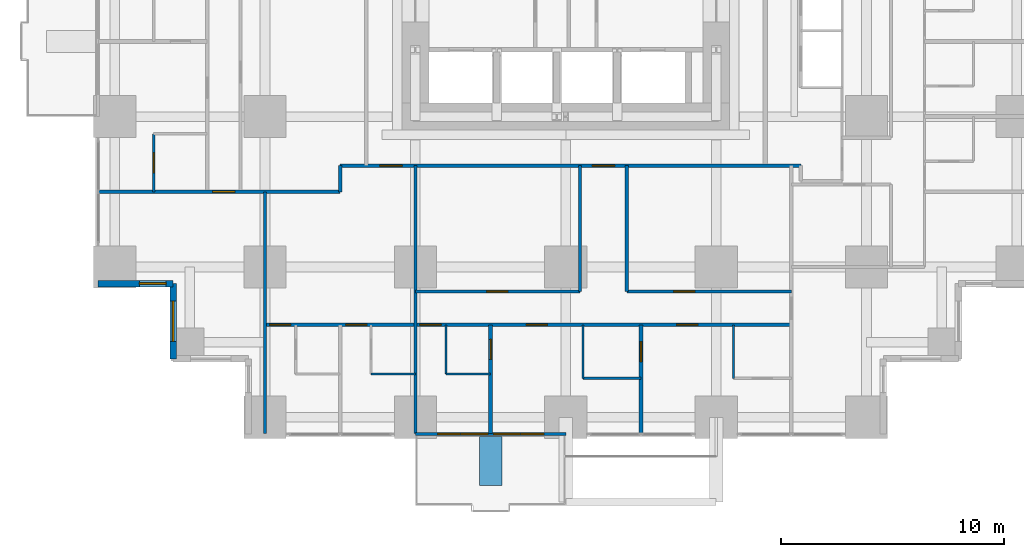
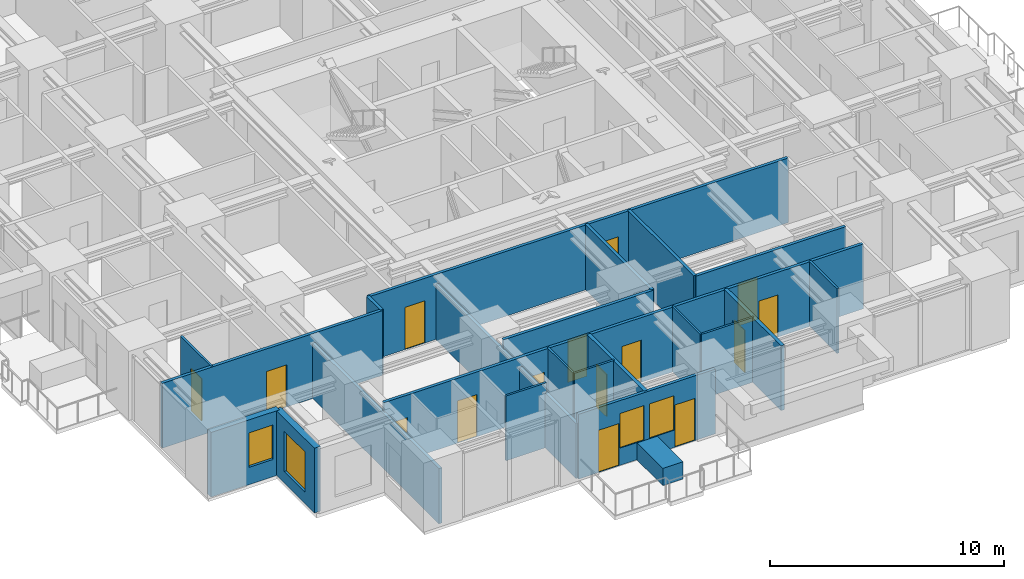
# One storey, part 8 of 15: 23 walls, 15 doors, 4 windows, 19 openings.
"""IFC4 building model written with IfcOpenShell, lengths in metres."""

from ifc_helpers import new_model, si_unit, direction, frame, frame_2d, origin, place, context, subcontext, project, spatial, rectangle, extrude, material, layer, layer_set, type_object, element, fill, save


model = new_model("IFC4")

# Units and contexts
model_context = context("Model", 3, precision=1e-05, world=origin(), true_north=direction((0.0, 1.0)))
body_context = subcontext(model_context, "Body", "Model", "MODEL_VIEW")
ifc_project = project(units=[si_unit("LENGTHUNIT", "METRE"), si_unit("AREAUNIT", "SQUARE_METRE"), si_unit("VOLUMEUNIT", "CUBIC_METRE"), si_unit("PLANEANGLEUNIT", "RADIAN"), si_unit("MASSUNIT", "GRAM", prefix="KILO")], contexts=[model_context])

# Site, building, storey
site_placement = place(None, origin())
site = spatial("IfcSite", under=ifc_project, at=site_placement, CompositionType="ELEMENT")
building_placement = place(site_placement, origin())
building = spatial("IfcBuilding", under=site, at=building_placement, Name="Nyansa Garden Tower", CompositionType="ELEMENT")
storey_placement = place(building_placement, frame((0.0, 0.0, 25.199951171875)))
storey = spatial("IfcBuildingStorey", under=building, at=storey_placement, Name="L06", CompositionType="ELEMENT", Elevation=25.199951171875)

# Wall, opening, door
ifc_material_1 = material(Name="Dense blockwork, plastered both sides, 55 dB", Category="masonry")
ifc_layer_1 = layer(ifc_material_1, 0.175048828125)
ifc_layer_set_1 = layer_set([ifc_layer_1], Name="Acoustic party wall PW175")
wall_type_1 = type_object("IfcWallType", Name="Acoustic party wall PW175", PredefinedType="PARTITIONING", material=ifc_layer_set_1)
wall_1_placement = place(storey_placement, frame((16.875, -0.73388671875, 0.0), z_axis=(0.0, 0.0, 1.0), x_axis=(0.0, 1.0, 0.0)))
wall_1 = element("IfcWall", 1, at=wall_1_placement, inside=storey, type_object=wall_type_1, Name="Party wall", PredefinedType="PARTITIONING", context=body_context, shape_type="SweptSolid", body=[
    extrude(rectangle(XDim=4.8837890625, YDim=0.175048828125, at=frame_2d((2.44189453125, 0.0))), origin(), (0.0, 0.0, 1.0), 3.375),
])
opening_1_placement = place(wall_1_placement, frame((3.333984375, 0.0, 0.0)))
opening_1 = element("IfcOpeningElement", 2, at=opening_1_placement, cuts=wall_1, Name="Opening D02", PredefinedType="OPENING", context=body_context, shape_type="SweptSolid", body=[
    extrude(rectangle(XDim=0.89990234375, YDim=2.199951171875, at=frame_2d((0.449951171875, 1.10009765625))), frame((0.0, 0.097412109375, 0.0), z_axis=(0.0, -1.0, 0.0), x_axis=(1.0, 0.0, 0.0)), (0.0, 0.0, 1.0), 0.195068359375),
])
ifc_material_2 = material(Name="Timber flush door", Category="wood")
door_type_1 = type_object("IfcDoorType", Name="En-suite door D02 900x2200", OperationType="SINGLE_SWING_RIGHT", PredefinedType="DOOR", material=ifc_material_2)
door_1_placement = place(opening_1_placement, origin())
door_1 = element("IfcDoor", 3, at=door_1_placement, inside=storey, type_object=door_type_1, Name="Door L06-029", OperationType="SINGLE_SWING_RIGHT", OverallHeight=2.199951171875, OverallWidth=0.89990234375, PredefinedType="DOOR", context=body_context, shape_type="SweptSolid", body=[
    extrude(rectangle(XDim=0.89990234375, YDim=2.199951171875, at=frame_2d((0.449951171875, 1.10009765625))), frame((0.0, 0.02490234375, 0.0), z_axis=(0.0, -1.0, 0.0), x_axis=(1.0, 0.0, 0.0)), (0.0, 0.0, 1.0), 0.050048828125),
])
fill(opening_1, door_1)

wall_2_placement = place(storey_placement, frame((23.625, -0.73388671875, 0.0), z_axis=(0.0, 0.0, 1.0), x_axis=(0.0, 1.0, 0.0)))
wall_2 = element("IfcWall", 4, at=wall_2_placement, inside=storey, type_object=wall_type_1, Name="Party wall", PredefinedType="PARTITIONING", context=body_context, shape_type="SweptSolid", body=[
    extrude(rectangle(XDim=4.8837890625, YDim=0.175048828125, at=frame_2d((2.44189453125, 0.0))), origin(), (0.0, 0.0, 1.0), 3.375),
])
opening_2_placement = place(wall_2_placement, frame((3.23388671875, 0.0, 0.0)))
opening_2 = element("IfcOpeningElement", 5, at=opening_2_placement, cuts=wall_2, Name="Opening D02", PredefinedType="OPENING", context=body_context, shape_type="SweptSolid", body=[
    extrude(rectangle(XDim=0.89990234375, YDim=2.199951171875, at=frame_2d((0.449951171875, 1.10009765625))), frame((0.0, 0.097412109375, 0.0), z_axis=(0.0, -1.0, 0.0), x_axis=(1.0, 0.0, 0.0)), (0.0, 0.0, 1.0), 0.195068359375),
])
door_2_placement = place(opening_2_placement, origin())
door_2 = element("IfcDoor", 6, at=door_2_placement, inside=storey, type_object=door_type_1, Name="Door L06-027", OperationType="SINGLE_SWING_RIGHT", OverallHeight=2.199951171875, OverallWidth=0.89990234375, PredefinedType="DOOR", context=body_context, shape_type="SweptSolid", body=[
    extrude(rectangle(XDim=0.89990234375, YDim=2.199951171875, at=frame_2d((0.449951171875, 1.10009765625))), frame((0.0, 0.02490234375, 0.0), z_axis=(0.0, -1.0, 0.0), x_axis=(1.0, 0.0, 0.0)), (0.0, 0.0, 1.0), 0.050048828125),
])
fill(opening_2, door_2)

# Wall, openings, doors, windows
ifc_material_3 = material(Name="Black aluminium framed glazed screen", Category="aluminium")
ifc_layer_2 = layer(ifc_material_3, 0.14990234375)
ifc_layer_set_2 = layer_set([ifc_layer_2], Name="Balcony screen wall BW150")
wall_type_2 = type_object("IfcWallType", Name="Balcony screen wall BW150", PredefinedType="SOLIDWALL", material=ifc_layer_set_2)
wall_3_placement = place(storey_placement, frame((20.25, -0.75, 0.0), z_axis=(0.0, 0.0, 1.0), x_axis=(-1.0, 0.0, 0.0)))
wall_3 = element("IfcWall", 7, at=wall_3_placement, inside=storey, type_object=wall_type_2, Name="Glazed screen wall L06 S", PredefinedType="SOLIDWALL", context=body_context, shape_type="SweptSolid", body=[
    extrude(rectangle(XDim=6.75, YDim=0.14990234375, at=frame_2d((3.375, 0.0))), origin(), (0.0, 0.0, 1.0), 3.375),
])
opening_3_placement = place(wall_3_placement, frame((0.995849609375, 0.0, 0.0)))
opening_3 = element("IfcOpeningElement", 8, at=opening_3_placement, cuts=wall_3, Name="Opening D20", PredefinedType="OPENING", context=body_context, shape_type="SweptSolid", body=[
    extrude(rectangle(XDim=1.0, YDim=2.199951171875, at=frame_2d((0.5, 1.10009765625))), frame((0.0, 0.0849609375, 0.0), z_axis=(0.0, -1.0, 0.0), x_axis=(1.0, 0.0, 0.0)), (0.0, 0.0, 1.0), 0.169921875),
])
opening_4_placement = place(wall_3_placement, frame((2.041748046875, 0.0, 0.89990234375)))
opening_4 = element("IfcOpeningElement", 9, at=opening_4_placement, cuts=wall_3, Name="Opening W6", PredefinedType="OPENING", context=body_context, shape_type="SweptSolid", body=[
    extrude(rectangle(XDim=1.199951171875, YDim=1.800048828125, at=frame_2d((0.60009765625, 0.89990234375))), frame((0.0, 0.0849609375, 0.0), z_axis=(0.0, -1.0, 0.0), x_axis=(1.0, 0.0, 0.0)), (0.0, 0.0, 1.0), 0.169921875),
])
opening_5_placement = place(wall_3_placement, frame((4.754150390625, 0.0, 0.0)))
opening_5 = element("IfcOpeningElement", 10, at=opening_5_placement, cuts=wall_3, Name="Opening D20", PredefinedType="OPENING", context=body_context, shape_type="SweptSolid", body=[
    extrude(rectangle(XDim=1.0, YDim=2.199951171875, at=frame_2d((0.5, 1.10009765625))), frame((0.0, 0.0849609375, 0.0), z_axis=(0.0, -1.0, 0.0), x_axis=(1.0, 0.0, 0.0)), (0.0, 0.0, 1.0), 0.169921875),
])
opening_6_placement = place(wall_3_placement, frame((3.50830078125, 0.0, 0.89990234375)))
opening_6 = element("IfcOpeningElement", 11, at=opening_6_placement, cuts=wall_3, Name="Opening W6", PredefinedType="OPENING", context=body_context, shape_type="SweptSolid", body=[
    extrude(rectangle(XDim=1.199951171875, YDim=1.800048828125, at=frame_2d((0.60009765625, 0.89990234375))), frame((0.0, 0.0849609375, 0.0), z_axis=(0.0, -1.0, 0.0), x_axis=(1.0, 0.0, 0.0)), (0.0, 0.0, 1.0), 0.169921875),
])
ifc_material_4 = material(Name="Black aluminium framed glazed door", Category="aluminium")
door_type_2 = type_object("IfcDoorType", Name="Balcony door D20 1000x2200", OperationType="NOTDEFINED", PredefinedType="DOOR", material=ifc_material_4)
door_3_placement = place(opening_3_placement, origin())
door_3 = element("IfcDoor", 12, at=door_3_placement, inside=storey, type_object=door_type_2, Name="Balcony door L06", OperationType="SINGLE_SWING_LEFT", OverallHeight=2.199951171875, OverallWidth=1.0, PredefinedType="DOOR", context=body_context, shape_type="SweptSolid", body=[
    extrude(rectangle(XDim=1.0, YDim=2.199951171875, at=frame_2d((0.5, 1.10009765625))), frame((0.0, 0.02490234375, 0.0), z_axis=(0.0, -1.0, 0.0), x_axis=(1.0, 0.0, 0.0)), (0.0, 0.0, 1.0), 0.050048828125),
])
fill(opening_3, door_3)
door_4_placement = place(opening_5_placement, origin())
door_4 = element("IfcDoor", 13, at=door_4_placement, inside=storey, type_object=door_type_2, Name="Balcony door L06", OperationType="SINGLE_SWING_RIGHT", OverallHeight=2.199951171875, OverallWidth=1.0, PredefinedType="DOOR", context=body_context, shape_type="SweptSolid", body=[
    extrude(rectangle(XDim=1.0, YDim=2.199951171875, at=frame_2d((0.5, 1.10009765625))), frame((0.0, 0.02490234375, 0.0), z_axis=(0.0, -1.0, 0.0), x_axis=(1.0, 0.0, 0.0)), (0.0, 0.0, 1.0), 0.050048828125),
])
fill(opening_5, door_4)
ifc_material_5 = material(Name="Black aluminium frame, dark tinted double glazing", Category="aluminium")
window_type_1 = type_object("IfcWindowType", Name="Balcony window W6 1200x1800", PartitioningType="SINGLE_PANEL", PredefinedType="WINDOW", material=ifc_material_5)
window_1_placement = place(opening_4_placement, origin())
window_1 = element("IfcWindow", 14, at=window_1_placement, inside=storey, type_object=window_type_1, Name="Window L06", OverallHeight=1.800048828125, OverallWidth=1.199951171875, PartitioningType="SINGLE_PANEL", PredefinedType="WINDOW", context=body_context, shape_type="SweptSolid", body=[
    extrude(rectangle(XDim=1.199951171875, YDim=1.800048828125, at=frame_2d((0.60009765625, 0.89990234375))), frame((0.0, 0.030029296875, 0.0), z_axis=(0.0, -1.0, 0.0), x_axis=(1.0, 0.0, 0.0)), (0.0, 0.0, 1.0), 0.06005859375),
])
fill(opening_4, window_1)
window_2_placement = place(opening_6_placement, origin())
window_2 = element("IfcWindow", 15, at=window_2_placement, inside=storey, type_object=window_type_1, Name="Window L06", OverallHeight=1.800048828125, OverallWidth=1.199951171875, PartitioningType="SINGLE_PANEL", PredefinedType="WINDOW", context=body_context, shape_type="SweptSolid", body=[
    extrude(rectangle(XDim=1.199951171875, YDim=1.800048828125, at=frame_2d((0.60009765625, 0.89990234375))), frame((0.0, 0.030029296875, 0.0), z_axis=(0.0, -1.0, 0.0), x_axis=(1.0, 0.0, 0.0)), (0.0, 0.0, 1.0), 0.06005859375),
])
fill(opening_6, window_2)

# Wall, opening, door
ifc_material_6 = material(Name="Blockwork, plastered both sides", Category="masonry")
ifc_layer_3 = layer(ifc_material_6, 0.14990234375)
ifc_layer_set_3 = layer_set([ifc_layer_3], Name="Partition PW150")
wall_type_3 = type_object("IfcWallType", Name="Partition PW150", PredefinedType="PARTITIONING", material=ifc_layer_set_3)
wall_4_placement = place(storey_placement, frame((-0.73388671875, 10.125, 0.0), z_axis=(0.0, 0.0, 1.0), x_axis=(1.0, 0.0, 0.0)))
wall_4 = element("IfcWall", 16, at=wall_4_placement, inside=storey, type_object=wall_type_3, Name="Partition", PredefinedType="PARTITIONING", context=body_context, shape_type="SweptSolid", body=[
    extrude(rectangle(XDim=10.85888671875, YDim=0.14990234375, at=frame_2d((5.429443359375, 0.0))), origin(), (0.0, 0.0, 1.0), 3.375),
])
opening_7_placement = place(wall_4_placement, frame((5.134033203125, 0.0, 0.0)))
opening_7 = element("IfcOpeningElement", 17, at=opening_7_placement, cuts=wall_4, Name="Opening D03", PredefinedType="OPENING", context=body_context, shape_type="SweptSolid", body=[
    extrude(rectangle(XDim=1.0, YDim=2.199951171875, at=frame_2d((0.5, 1.10009765625))), frame((0.0, 0.0849609375, 0.0), z_axis=(0.0, -1.0, 0.0), x_axis=(1.0, 0.0, 0.0)), (0.0, 0.0, 1.0), 0.169921875),
])
ifc_material_7 = material(Name="Timber flush door, 60 minute fire resisting", Category="wood")
door_type_3 = type_object("IfcDoorType", Name="Cluster entrance door D03 1000x2200", OperationType="SINGLE_SWING_LEFT", PredefinedType="DOOR", material=ifc_material_7)
door_5_placement = place(opening_7_placement, origin())
door_5 = element("IfcDoor", 18, at=door_5_placement, inside=storey, type_object=door_type_3, Name="Door L06-018", OperationType="SINGLE_SWING_LEFT", OverallHeight=2.199951171875, OverallWidth=1.0, PredefinedType="DOOR", context=body_context, shape_type="SweptSolid", body=[
    extrude(rectangle(XDim=1.0, YDim=2.199951171875, at=frame_2d((0.5, 1.10009765625))), frame((0.0, 0.02490234375, 0.0), z_axis=(0.0, -1.0, 0.0), x_axis=(1.0, 0.0, 0.0)), (0.0, 0.0, 1.0), 0.050048828125),
])
fill(opening_7, door_5)

# Wall
wall_5_placement = place(storey_placement, frame((6.75, -0.73388671875, 0.0), z_axis=(0.0, 0.0, 1.0), x_axis=(0.0, 1.0, 0.0)))
element("IfcWall", 19, at=wall_5_placement, inside=storey, type_object=wall_type_3, Name="Partition", PredefinedType="PARTITIONING", context=body_context, shape_type="SweptSolid", body=[
    extrude(rectangle(XDim=10.85888671875, YDim=0.14990234375, at=frame_2d((5.429443359375, 0.0))), origin(), (0.0, 0.0, 1.0), 2.876953125),
])

# Wall, openings, doors
wall_6_placement = place(storey_placement, frame((6.75, 4.14990234375, 0.0), z_axis=(0.0, 0.0, 1.0), x_axis=(1.0, 0.0, 0.0)))
wall_6 = element("IfcWall", 20, at=wall_6_placement, inside=storey, type_object=wall_type_3, Name="Partition", PredefinedType="PARTITIONING", context=body_context, shape_type="SweptSolid", body=[
    extrude(rectangle(XDim=23.625, YDim=0.14990234375, at=frame_2d((11.8125, 0.0))), origin(), (0.0, 0.0, 1.0), 3.375),
])
opening_8_placement = place(wall_6_placement, frame((0.199951171875, 0.0, 0.0)))
opening_8 = element("IfcOpeningElement", 21, at=opening_8_placement, cuts=wall_6, Name="Opening D01", PredefinedType="OPENING", context=body_context, shape_type="SweptSolid", body=[
    extrude(rectangle(XDim=0.949951171875, YDim=2.199951171875, at=frame_2d((0.47509765625, 1.10009765625))), frame((0.0, 0.0849609375, 0.0), z_axis=(0.0, -1.0, 0.0), x_axis=(1.0, 0.0, 0.0)), (0.0, 0.0, 1.0), 0.169921875),
])
opening_9_placement = place(wall_6_placement, frame((3.625, 0.0, 0.0)))
opening_9 = element("IfcOpeningElement", 22, at=opening_9_placement, cuts=wall_6, Name="Opening D01", PredefinedType="OPENING", context=body_context, shape_type="SweptSolid", body=[
    extrude(rectangle(XDim=0.949951171875, YDim=2.199951171875, at=frame_2d((0.47509765625, 1.10009765625))), frame((0.0, 0.0849609375, 0.0), z_axis=(0.0, -1.0, 0.0), x_axis=(1.0, 0.0, 0.0)), (0.0, 0.0, 1.0), 0.169921875),
])
opening_10_placement = place(wall_6_placement, frame((18.47509765625, 0.0, 0.0)))
opening_10 = element("IfcOpeningElement", 23, at=opening_10_placement, cuts=wall_6, Name="Opening D14", PredefinedType="OPENING", context=body_context, shape_type="SweptSolid", body=[
    extrude(rectangle(XDim=0.949951171875, YDim=2.199951171875, at=frame_2d((0.47509765625, 1.10009765625))), frame((0.0, 0.0849609375, 0.0), z_axis=(0.0, -1.0, 0.0), x_axis=(1.0, 0.0, 0.0)), (0.0, 0.0, 1.0), 0.169921875),
])
opening_11_placement = place(wall_6_placement, frame((11.72509765625, 0.0, 0.0)))
opening_11 = element("IfcOpeningElement", 24, at=opening_11_placement, cuts=wall_6, Name="Opening D14", PredefinedType="OPENING", context=body_context, shape_type="SweptSolid", body=[
    extrude(rectangle(XDim=0.949951171875, YDim=2.199951171875, at=frame_2d((0.47509765625, 1.10009765625))), frame((0.0, 0.0849609375, 0.0), z_axis=(0.0, -1.0, 0.0), x_axis=(1.0, 0.0, 0.0)), (0.0, 0.0, 1.0), 0.169921875),
])
opening_12_placement = place(wall_6_placement, frame((6.949951171875, 0.0, 0.0)))
opening_12 = element("IfcOpeningElement", 25, at=opening_12_placement, cuts=wall_6, Name="Opening D14", PredefinedType="OPENING", context=body_context, shape_type="SweptSolid", body=[
    extrude(rectangle(XDim=0.949951171875, YDim=2.199951171875, at=frame_2d((0.47509765625, 1.10009765625))), frame((0.0, 0.0849609375, 0.0), z_axis=(0.0, -1.0, 0.0), x_axis=(1.0, 0.0, 0.0)), (0.0, 0.0, 1.0), 0.169921875),
])
ifc_material_8 = material(Name="Timber flush door, 30 minute fire resisting", Category="wood")
door_type_4 = type_object("IfcDoorType", Name="Bedroom door D01 950x2200", OperationType="SINGLE_SWING_LEFT", PredefinedType="DOOR", material=ifc_material_8)
door_6_placement = place(opening_8_placement, origin())
door_6 = element("IfcDoor", 26, at=door_6_placement, inside=storey, type_object=door_type_4, Name="Door L06-019", OperationType="SINGLE_SWING_LEFT", OverallHeight=2.199951171875, OverallWidth=0.949951171875, PredefinedType="DOOR", context=body_context, shape_type="SweptSolid", body=[
    extrude(rectangle(XDim=0.949951171875, YDim=2.199951171875, at=frame_2d((0.47509765625, 1.10009765625))), frame((0.0, 0.02490234375, 0.0), z_axis=(0.0, -1.0, 0.0), x_axis=(1.0, 0.0, 0.0)), (0.0, 0.0, 1.0), 0.050048828125),
])
fill(opening_8, door_6)
door_7_placement = place(opening_9_placement, origin())
door_7 = element("IfcDoor", 27, at=door_7_placement, inside=storey, type_object=door_type_4, Name="Door L06-021", OperationType="SINGLE_SWING_LEFT", OverallHeight=2.199951171875, OverallWidth=0.949951171875, PredefinedType="DOOR", context=body_context, shape_type="SweptSolid", body=[
    extrude(rectangle(XDim=0.949951171875, YDim=2.199951171875, at=frame_2d((0.47509765625, 1.10009765625))), frame((0.0, 0.02490234375, 0.0), z_axis=(0.0, -1.0, 0.0), x_axis=(1.0, 0.0, 0.0)), (0.0, 0.0, 1.0), 0.050048828125),
])
fill(opening_9, door_7)
ifc_material_9 = material(Name="Timber flush door, 60 minute fire resisting, self-closing", Category="wood")
door_type_5 = type_object("IfcDoorType", Name="Studio entrance door D14 950x2200", OperationType="SINGLE_SWING_LEFT", PredefinedType="DOOR", material=ifc_material_9)
door_8_placement = place(opening_10_placement, origin())
door_8 = element("IfcDoor", 28, at=door_8_placement, inside=storey, type_object=door_type_5, Name="Door L06-024", OperationType="SINGLE_SWING_LEFT", OverallHeight=2.199951171875, OverallWidth=0.949951171875, PredefinedType="DOOR", context=body_context, shape_type="SweptSolid", body=[
    extrude(rectangle(XDim=0.949951171875, YDim=2.199951171875, at=frame_2d((0.47509765625, 1.10009765625))), frame((0.0, 0.02490234375, 0.0), z_axis=(0.0, -1.0, 0.0), x_axis=(1.0, 0.0, 0.0)), (0.0, 0.0, 1.0), 0.050048828125),
])
fill(opening_10, door_8)
door_9_placement = place(opening_11_placement, origin())
door_9 = element("IfcDoor", 29, at=door_9_placement, inside=storey, type_object=door_type_5, Name="Door L06-026", OperationType="SINGLE_SWING_LEFT", OverallHeight=2.199951171875, OverallWidth=0.949951171875, PredefinedType="DOOR", context=body_context, shape_type="SweptSolid", body=[
    extrude(rectangle(XDim=0.949951171875, YDim=2.199951171875, at=frame_2d((0.47509765625, 1.10009765625))), frame((0.0, 0.02490234375, 0.0), z_axis=(0.0, -1.0, 0.0), x_axis=(1.0, 0.0, 0.0)), (0.0, 0.0, 1.0), 0.050048828125),
])
fill(opening_11, door_9)
door_10_placement = place(opening_12_placement, origin())
door_10 = element("IfcDoor", 30, at=door_10_placement, inside=storey, type_object=door_type_5, Name="Door L06-028", OperationType="SINGLE_SWING_LEFT", OverallHeight=2.199951171875, OverallWidth=0.949951171875, PredefinedType="DOOR", context=body_context, shape_type="SweptSolid", body=[
    extrude(rectangle(XDim=0.949951171875, YDim=2.199951171875, at=frame_2d((0.47509765625, 1.10009765625))), frame((0.0, 0.02490234375, 0.0), z_axis=(0.0, -1.0, 0.0), x_axis=(1.0, 0.0, 0.0)), (0.0, 0.0, 1.0), 0.050048828125),
])
fill(opening_12, door_10)

# Wall
wall_7_placement = place(storey_placement, frame((10.125, 10.125, 0.0), z_axis=(0.0, 0.0, 1.0), x_axis=(0.0, 1.0, 0.0)))
element("IfcWall", 31, at=wall_7_placement, inside=storey, type_object=wall_type_3, Name="Partition", PredefinedType="PARTITIONING", context=body_context, shape_type="SweptSolid", body=[
    extrude(rectangle(XDim=1.175048828125, YDim=0.14990234375, at=frame_2d((0.58740234375, 0.0))), origin(), (0.0, 0.0, 1.0), 3.375),
])

# Wall, openings, doors
wall_8_placement = place(storey_placement, frame((10.125, 11.300048828125, 0.0), z_axis=(0.0, 0.0, 1.0), x_axis=(1.0, 0.0, 0.0)))
wall_8 = element("IfcWall", 32, at=wall_8_placement, inside=storey, type_object=wall_type_3, Name="Partition", PredefinedType="PARTITIONING", context=body_context, shape_type="SweptSolid", body=[
    extrude(rectangle(XDim=20.675048828125, YDim=0.14990234375, at=frame_2d((10.33740234375, 0.0))), origin(), (0.0, 0.0, 1.0), 3.375),
])
opening_13_placement = place(wall_8_placement, frame((1.77490234375, 0.0, 0.0)))
opening_13 = element("IfcOpeningElement", 33, at=opening_13_placement, cuts=wall_8, Name="Opening D03", PredefinedType="OPENING", context=body_context, shape_type="SweptSolid", body=[
    extrude(rectangle(XDim=1.0, YDim=2.199951171875, at=frame_2d((0.5, 1.10009765625))), frame((0.0, 0.0849609375, 0.0), z_axis=(0.0, -1.0, 0.0), x_axis=(1.0, 0.0, 0.0)), (0.0, 0.0, 1.0), 0.169921875),
])
opening_14_placement = place(wall_8_placement, frame((11.3125, 0.0, 0.0)))
opening_14 = element("IfcOpeningElement", 34, at=opening_14_placement, cuts=wall_8, Name="Opening D03", PredefinedType="OPENING", context=body_context, shape_type="SweptSolid", body=[
    extrude(rectangle(XDim=1.0, YDim=2.199951171875, at=frame_2d((0.5, 1.10009765625))), frame((0.0, 0.0849609375, 0.0), z_axis=(0.0, -1.0, 0.0), x_axis=(1.0, 0.0, 0.0)), (0.0, 0.0, 1.0), 0.169921875),
])
door_11_placement = place(opening_13_placement, origin())
door_11 = element("IfcDoor", 35, at=door_11_placement, inside=storey, type_object=door_type_3, Name="Door L06-023", OperationType="SINGLE_SWING_LEFT", OverallHeight=2.199951171875, OverallWidth=1.0, PredefinedType="DOOR", context=body_context, shape_type="SweptSolid", body=[
    extrude(rectangle(XDim=1.0, YDim=2.199951171875, at=frame_2d((0.5, 1.10009765625))), frame((0.0, 0.02490234375, 0.0), z_axis=(0.0, -1.0, 0.0), x_axis=(1.0, 0.0, 0.0)), (0.0, 0.0, 1.0), 0.050048828125),
])
fill(opening_13, door_11)
door_12_placement = place(opening_14_placement, origin())
door_12 = element("IfcDoor", 36, at=door_12_placement, inside=storey, type_object=door_type_3, Name="Door L06-030", OperationType="SINGLE_SWING_LEFT", OverallHeight=2.199951171875, OverallWidth=1.0, PredefinedType="DOOR", context=body_context, shape_type="SweptSolid", body=[
    extrude(rectangle(XDim=1.0, YDim=2.199951171875, at=frame_2d((0.5, 1.10009765625))), frame((0.0, 0.02490234375, 0.0), z_axis=(0.0, -1.0, 0.0), x_axis=(1.0, 0.0, 0.0)), (0.0, 0.0, 1.0), 0.050048828125),
])
fill(opening_14, door_12)

# Wall
wall_9_placement = place(storey_placement, frame((13.5, -0.73388671875, 0.0), z_axis=(0.0, 0.0, 1.0), x_axis=(0.0, 1.0, 0.0)))
element("IfcWall", 37, at=wall_9_placement, inside=storey, type_object=wall_type_3, Name="Partition", PredefinedType="PARTITIONING", context=body_context, shape_type="SweptSolid", body=[
    extrude(rectangle(XDim=12.033935546875, YDim=0.14990234375, at=frame_2d((6.01708984375, 0.0))), origin(), (0.0, 0.0, 1.0), 2.876953125),
])

# Wall, opening, door
wall_10_placement = place(storey_placement, frame((13.5, 5.64990234375, 0.0), z_axis=(0.0, 0.0, 1.0), x_axis=(1.0, 0.0, 0.0)))
wall_10 = element("IfcWall", 38, at=wall_10_placement, inside=storey, type_object=wall_type_3, Name="Partition", PredefinedType="PARTITIONING", context=body_context, shape_type="SweptSolid", body=[
    extrude(rectangle(XDim=7.387451171875, YDim=0.14990234375, at=frame_2d((3.69384765625, 0.0))), origin(), (0.0, 0.0, 1.0), 3.375),
])
opening_15_placement = place(wall_10_placement, frame((3.199951171875, 0.0, 0.0)))
opening_15 = element("IfcOpeningElement", 39, at=opening_15_placement, cuts=wall_10, Name="Opening D01", PredefinedType="OPENING", context=body_context, shape_type="SweptSolid", body=[
    extrude(rectangle(XDim=0.949951171875, YDim=2.199951171875, at=frame_2d((0.47509765625, 1.10009765625))), frame((0.0, 0.0849609375, 0.0), z_axis=(0.0, -1.0, 0.0), x_axis=(1.0, 0.0, 0.0)), (0.0, 0.0, 1.0), 0.169921875),
])
door_13_placement = place(opening_15_placement, origin())
door_13 = element("IfcDoor", 40, at=door_13_placement, inside=storey, type_object=door_type_4, Name="Door L06-032", OperationType="SINGLE_SWING_LEFT", OverallHeight=2.199951171875, OverallWidth=0.949951171875, PredefinedType="DOOR", context=body_context, shape_type="SweptSolid", body=[
    extrude(rectangle(XDim=0.949951171875, YDim=2.199951171875, at=frame_2d((0.47509765625, 1.10009765625))), frame((0.0, 0.02490234375, 0.0), z_axis=(0.0, -1.0, 0.0), x_axis=(1.0, 0.0, 0.0)), (0.0, 0.0, 1.0), 0.050048828125),
])
fill(opening_15, door_13)

# Wall
wall_11_placement = place(storey_placement, frame((20.886962890625, 5.64990234375, 0.0), z_axis=(0.0, 0.0, 1.0), x_axis=(0.0, 1.0, 0.0)))
element("IfcWall", 41, at=wall_11_placement, inside=storey, type_object=wall_type_3, Name="Partition", PredefinedType="PARTITIONING", context=body_context, shape_type="SweptSolid", body=[
    extrude(rectangle(XDim=5.650146484375, YDim=0.14990234375, at=frame_2d((2.8251953125, 0.0))), origin(), (0.0, 0.0, 1.0), 3.375),
])

# Wall, opening, door
wall_12_placement = place(storey_placement, frame((22.987548828125, 5.64990234375, 0.0), z_axis=(0.0, 0.0, 1.0), x_axis=(1.0, 0.0, 0.0)))
wall_12 = element("IfcWall", 42, at=wall_12_placement, inside=storey, type_object=wall_type_3, Name="Partition", PredefinedType="PARTITIONING", context=body_context, shape_type="SweptSolid", body=[
    extrude(rectangle(XDim=7.387451171875, YDim=0.14990234375, at=frame_2d((3.69384765625, 0.0))), origin(), (0.0, 0.0, 1.0), 3.375),
])
opening_16_placement = place(wall_12_placement, frame((2.10009765625, 0.0, 0.0)))
opening_16 = element("IfcOpeningElement", 43, at=opening_16_placement, cuts=wall_12, Name="Opening D01", PredefinedType="OPENING", context=body_context, shape_type="SweptSolid", body=[
    extrude(rectangle(XDim=0.949951171875, YDim=2.199951171875, at=frame_2d((0.47509765625, 1.10009765625))), frame((0.0, 0.0849609375, 0.0), z_axis=(0.0, -1.0, 0.0), x_axis=(1.0, 0.0, 0.0)), (0.0, 0.0, 1.0), 0.169921875),
])
door_14_placement = place(opening_16_placement, origin())
door_14 = element("IfcDoor", 44, at=door_14_placement, inside=storey, type_object=door_type_4, Name="Door L06-031", OperationType="SINGLE_SWING_LEFT", OverallHeight=2.199951171875, OverallWidth=0.949951171875, PredefinedType="DOOR", context=body_context, shape_type="SweptSolid", body=[
    extrude(rectangle(XDim=0.949951171875, YDim=2.199951171875, at=frame_2d((0.47509765625, 1.10009765625))), frame((0.0, 0.02490234375, 0.0), z_axis=(0.0, -1.0, 0.0), x_axis=(1.0, 0.0, 0.0)), (0.0, 0.0, 1.0), 0.050048828125),
])
fill(opening_16, door_14)

# Wall
wall_13_placement = place(storey_placement, frame((22.988037109375, 5.64990234375, 0.0), z_axis=(0.0, 0.0, 1.0), x_axis=(0.0, 1.0, 0.0)))
element("IfcWall", 45, at=wall_13_placement, inside=storey, type_object=wall_type_3, Name="Partition", PredefinedType="PARTITIONING", context=body_context, shape_type="SweptSolid", body=[
    extrude(rectangle(XDim=5.650146484375, YDim=0.14990234375, at=frame_2d((2.8251953125, 0.0))), origin(), (0.0, 0.0, 1.0), 3.375),
])

# Wall, opening, window
ifc_material_10 = material(Name="Turquoise glazed tile on concrete blockwork", Category="masonry")
ifc_layer_4 = layer(ifc_material_10, 0.300048828125)
ifc_layer_set_4 = layer_set([ifc_layer_4], Name="Tiled corner wall TW300")
wall_type_4 = type_object("IfcWallType", Name="Tiled corner wall TW300", PredefinedType="SOLIDWALL", material=ifc_layer_set_4)
wall_14_placement = place(storey_placement, frame((-0.75, 6.0, 0.0), z_axis=(0.0, 0.0, 1.0), x_axis=(1.0, 0.0, 0.0)))
wall_14 = element("IfcWall", 46, at=wall_14_placement, inside=storey, type_object=wall_type_4, Name="Tiled corner wall L06", PredefinedType="SOLIDWALL", context=body_context, shape_type="SweptSolid", body=[
    extrude(rectangle(XDim=3.375, YDim=0.300048828125, at=frame_2d((1.6875, 0.0))), origin(), (0.0, 0.0, 1.0), 3.375),
])
opening_17_placement = place(wall_14_placement, frame((1.857421875, 0.0, 0.89990234375)))
opening_17 = element("IfcOpeningElement", 47, at=opening_17_placement, cuts=wall_14, Name="Opening W4", PredefinedType="OPENING", context=body_context, shape_type="SweptSolid", body=[
    extrude(rectangle(XDim=1.199951171875, YDim=1.800048828125, at=frame_2d((0.60009765625, 0.89990234375))), frame((0.0, 0.159912109375, 0.0), z_axis=(0.0, -1.0, 0.0), x_axis=(1.0, 0.0, 0.0)), (0.0, 0.0, 1.0), 0.320068359375),
])
ifc_material_11 = material(Name="Black aluminium frame, dark tinted double glazing", Category="aluminium")
window_type_2 = type_object("IfcWindowType", Name="Window W4 1200x1800", PartitioningType="SINGLE_PANEL", PredefinedType="WINDOW", material=ifc_material_11)
window_3_placement = place(opening_17_placement, origin())
window_3 = element("IfcWindow", 48, at=window_3_placement, inside=storey, type_object=window_type_2, Name="Corner window L06", OverallHeight=1.800048828125, OverallWidth=1.199951171875, PartitioningType="SINGLE_PANEL", PredefinedType="WINDOW", context=body_context, shape_type="SweptSolid", body=[
    extrude(rectangle(XDim=1.199951171875, YDim=1.800048828125, at=frame_2d((0.60009765625, 0.89990234375))), frame((0.0, 0.030029296875, 0.0), z_axis=(0.0, -1.0, 0.0), x_axis=(1.0, 0.0, 0.0)), (0.0, 0.0, 1.0), 0.06005859375),
])
fill(opening_17, window_3)

wall_15_placement = place(storey_placement, frame((2.625, 6.0, 0.0), z_axis=(0.0, 0.0, 1.0), x_axis=(0.0, -1.0, 0.0)))
wall_15 = element("IfcWall", 49, at=wall_15_placement, inside=storey, type_object=wall_type_4, Name="Tiled corner wall L06", PredefinedType="SOLIDWALL", context=body_context, shape_type="SweptSolid", body=[
    extrude(rectangle(XDim=3.375, YDim=0.300048828125, at=frame_2d((1.6875, 0.0))), origin(), (0.0, 0.0, 1.0), 3.375),
])
opening_18_placement = place(wall_15_placement, frame((0.78759765625, 0.0, 0.60009765625)))
opening_18 = element("IfcOpeningElement", 50, at=opening_18_placement, cuts=wall_15, Name="Opening W2", PredefinedType="OPENING", context=body_context, shape_type="SweptSolid", body=[
    extrude(rectangle(XDim=1.800048828125, YDim=2.10009765625, at=frame_2d((0.89990234375, 1.050048828125))), frame((0.0, 0.159912109375, 0.0), z_axis=(0.0, -1.0, 0.0), x_axis=(1.0, 0.0, 0.0)), (0.0, 0.0, 1.0), 0.320068359375),
])
ifc_material_12 = material(Name="Black aluminium frame, dark tinted double glazing", Category="aluminium")
window_type_3 = type_object("IfcWindowType", Name="Window W2 1800x2100", PartitioningType="SINGLE_PANEL", PredefinedType="WINDOW", material=ifc_material_12)
window_4_placement = place(opening_18_placement, origin())
window_4 = element("IfcWindow", 51, at=window_4_placement, inside=storey, type_object=window_type_3, Name="Corner window L06", OverallHeight=2.10009765625, OverallWidth=1.800048828125, PartitioningType="SINGLE_PANEL", PredefinedType="WINDOW", context=body_context, shape_type="SweptSolid", body=[
    extrude(rectangle(XDim=1.800048828125, YDim=2.10009765625, at=frame_2d((0.89990234375, 1.050048828125))), frame((0.0, 0.030029296875, 0.0), z_axis=(0.0, -1.0, 0.0), x_axis=(1.0, 0.0, 0.0)), (0.0, 0.0, 1.0), 0.06005859375),
])
fill(opening_18, window_4)

# Wall
ifc_material_13 = material(Name="Concrete C40/50 planter, waterproofed", Category="concrete")
ifc_layer_5 = layer(ifc_material_13, 1.0)
ifc_layer_set_5 = layer_set([ifc_layer_5], Name="Tree planter TP1")
wall_type_5 = type_object("IfcWallType", Name="Tree planter TP1", PredefinedType="USERDEFINED", material=ifc_layer_set_5)
wall_16_placement = place(storey_placement, frame((16.875, -0.85009765625, 0.0), z_axis=(0.0, 0.0, 1.0), x_axis=(0.0, -1.0, 0.0)))
element("IfcWall", 52, at=wall_16_placement, inside=storey, type_object=wall_type_5, Name="Tree planter L06", ObjectType="TREE PLANTER", PredefinedType="USERDEFINED", context=body_context, shape_type="SweptSolid", body=[
    extrude(rectangle(XDim=2.199951171875, YDim=1.0, at=frame_2d((1.10009765625, 0.0))), origin(), (0.0, 0.0, 1.0), 0.900146484375),
])

# Wall, opening, door
ifc_material_14 = material(Name="Moisture resistant board on steel studs, tiled", Category="steel")
ifc_layer_6 = layer(ifc_material_14, 0.10009765625)
ifc_layer_set_6 = layer_set([ifc_layer_6], Name="Wet wall PW100")
wall_type_6 = type_object("IfcWallType", Name="Wet wall PW100", PredefinedType="PARTITIONING", material=ifc_layer_set_6)
wall_17_placement = place(storey_placement, frame((1.75, 10.125, 0.0), z_axis=(0.0, 0.0, 1.0), x_axis=(0.0, 1.0, 0.0)))
wall_17 = element("IfcWall", 53, at=wall_17_placement, inside=storey, type_object=wall_type_6, Name="Wet wall", PredefinedType="PARTITIONING", context=body_context, shape_type="SweptSolid", body=[
    extrude(rectangle(XDim=2.60009765625, YDim=0.10009765625, at=frame_2d((1.300048828125, 0.0))), origin(), (0.0, 0.0, 1.0), 3.375),
])
opening_19_placement = place(wall_17_placement, frame((0.85009765625, 0.0, 0.0)))
opening_19 = element("IfcOpeningElement", 54, at=opening_19_placement, cuts=wall_17, Name="Opening D02", PredefinedType="OPENING", context=body_context, shape_type="SweptSolid", body=[
    extrude(rectangle(XDim=0.89990234375, YDim=2.199951171875, at=frame_2d((0.449951171875, 1.10009765625))), frame((0.0, 0.06005859375, 0.0), z_axis=(0.0, -1.0, 0.0), x_axis=(1.0, 0.0, 0.0)), (0.0, 0.0, 1.0), 0.1201171875),
])
door_15_placement = place(opening_19_placement, origin())
door_15 = element("IfcDoor", 55, at=door_15_placement, inside=storey, type_object=door_type_1, Name="Door L06-068", OperationType="SINGLE_SWING_RIGHT", OverallHeight=2.199951171875, OverallWidth=0.89990234375, PredefinedType="DOOR", context=body_context, shape_type="SweptSolid", body=[
    extrude(rectangle(XDim=0.89990234375, YDim=2.199951171875, at=frame_2d((0.449951171875, 1.10009765625))), frame((0.0, 0.02490234375, 0.0), z_axis=(0.0, -1.0, 0.0), x_axis=(1.0, 0.0, 0.0)), (0.0, 0.0, 1.0), 0.050048828125),
])
fill(opening_19, door_15)

# Walls
wall_18_placement = place(storey_placement, frame((11.5, 1.949951171875, 0.0), z_axis=(0.0, 0.0, 1.0), x_axis=(1.0, 0.0, 0.0)))
element("IfcWall", 56, at=wall_18_placement, inside=storey, type_object=wall_type_6, Name="Wet wall", PredefinedType="PARTITIONING", context=body_context, shape_type="SweptSolid", body=[
    extrude(rectangle(XDim=2.0, YDim=0.10009765625, at=frame_2d((1.0, 0.0))), origin(), (0.0, 0.0, 1.0), 3.375),
])
wall_19_placement = place(storey_placement, frame((14.875, 1.949951171875, 0.0), z_axis=(0.0, 0.0, 1.0), x_axis=(0.0, 1.0, 0.0)))
element("IfcWall", 57, at=wall_19_placement, inside=storey, type_object=wall_type_6, Name="Wet wall", PredefinedType="PARTITIONING", context=body_context, shape_type="SweptSolid", body=[
    extrude(rectangle(XDim=2.199951171875, YDim=0.10009765625, at=frame_2d((1.10009765625, 0.0))), origin(), (0.0, 0.0, 1.0), 3.375),
])
wall_20_placement = place(storey_placement, frame((14.875, 1.949951171875, 0.0), z_axis=(0.0, 0.0, 1.0), x_axis=(1.0, 0.0, 0.0)))
element("IfcWall", 58, at=wall_20_placement, inside=storey, type_object=wall_type_6, Name="Wet wall", PredefinedType="PARTITIONING", context=body_context, shape_type="SweptSolid", body=[
    extrude(rectangle(XDim=2.0, YDim=0.10009765625, at=frame_2d((1.0, 0.0))), origin(), (0.0, 0.0, 1.0), 3.375),
])
wall_21_placement = place(storey_placement, frame((21.02490234375, 1.75, 0.0), z_axis=(0.0, 0.0, 1.0), x_axis=(0.0, 1.0, 0.0)))
element("IfcWall", 59, at=wall_21_placement, inside=storey, type_object=wall_type_6, Name="Wet wall", PredefinedType="PARTITIONING", context=body_context, shape_type="SweptSolid", body=[
    extrude(rectangle(XDim=2.39990234375, YDim=0.10009765625, at=frame_2d((1.199951171875, 0.0))), origin(), (0.0, 0.0, 1.0), 3.375),
])
wall_22_placement = place(storey_placement, frame((21.02490234375, 1.75, 0.0), z_axis=(0.0, 0.0, 1.0), x_axis=(1.0, 0.0, 0.0)))
element("IfcWall", 60, at=wall_22_placement, inside=storey, type_object=wall_type_6, Name="Wet wall", PredefinedType="PARTITIONING", context=body_context, shape_type="SweptSolid", body=[
    extrude(rectangle(XDim=2.60009765625, YDim=0.10009765625, at=frame_2d((1.300048828125, 0.0))), origin(), (0.0, 0.0, 1.0), 3.375),
])
wall_23_placement = place(storey_placement, frame((27.77490234375, 1.75, 0.0), z_axis=(0.0, 0.0, 1.0), x_axis=(0.0, 1.0, 0.0)))
element("IfcWall", 61, at=wall_23_placement, inside=storey, type_object=wall_type_6, Name="Wet wall", PredefinedType="PARTITIONING", context=body_context, shape_type="SweptSolid", body=[
    extrude(rectangle(XDim=2.39990234375, YDim=0.10009765625, at=frame_2d((1.199951171875, 0.0))), origin(), (0.0, 0.0, 1.0), 3.375),
])

save(model, "model.ifc")
